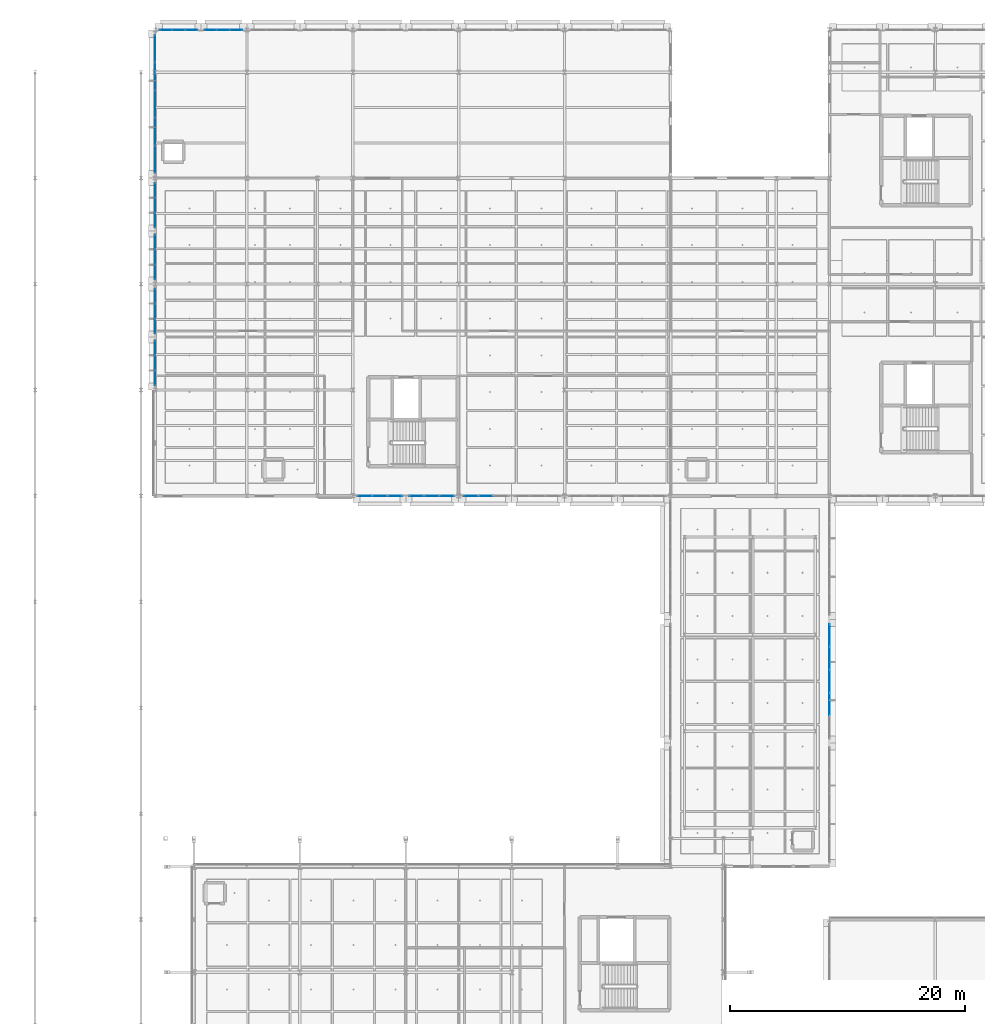
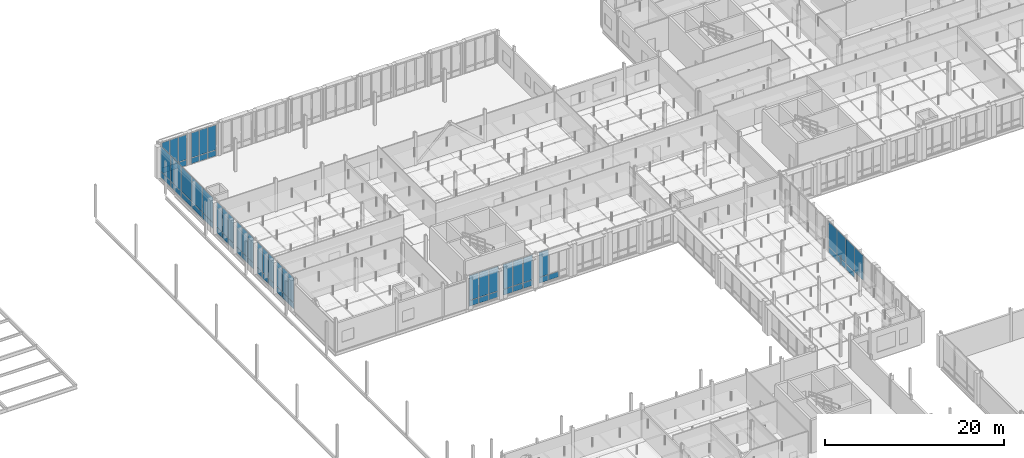
# One storey, part 56 of 130: 68 plates, 11 elements without a shape of their own.
"""IFC4 building model written with IfcOpenShell, lengths in metres."""

from ifc_helpers import new_model, si_unit, direction, frame, origin, origin_2d, place, context, subcontext, project, spatial, rectangle, extrude, material, layer, layer_set, type_object, element, aggregate, save


model = new_model("IFC4")

# Units and contexts
model_context = context("Model", 3, precision=1e-05, world=origin(), true_north=direction((0.0, 1.0)))
body_context = subcontext(model_context, "Body", "Model", "MODEL_VIEW")
ifc_project = project(units=[si_unit("LENGTHUNIT", "METRE"), si_unit("AREAUNIT", "SQUARE_METRE"), si_unit("VOLUMEUNIT", "CUBIC_METRE"), si_unit("PLANEANGLEUNIT", "RADIAN"), si_unit("MASSUNIT", "GRAM", prefix="KILO"), si_unit("THERMODYNAMICTEMPERATUREUNIT", "KELVIN"), si_unit("POWERUNIT", "WATT")], contexts=[model_context])

# Site, building, storey
site_placement = place(None, origin())
site = spatial("IfcSite", under=ifc_project, at=site_placement, CompositionType="ELEMENT")
building_placement = place(site_placement, origin())
building = spatial("IfcBuilding", under=site, at=building_placement, Name="Tallowbark Science Centre", CompositionType="ELEMENT")
storey_placement = place(building_placement, frame((0.0, 0.0, 5.39990234375)))
storey = spatial("IfcBuildingStorey", under=building, at=storey_placement, Name="L01", CompositionType="ELEMENT", Elevation=5.39990234375)

# Curtain wall, plates
ifc_material_1 = material(Name="Unitised Thermally Broken Aluminium and Low-E Double Glazing", Category="aluminium")
curtain_wall_type = type_object("IfcCurtainWallType", Name="CW-SYS-FACADE", PredefinedType="NOTDEFINED", material=ifc_material_1)
curtain_wall_1_placement = place(storey_placement, origin())
curtain_wall_1 = element("IfcCurtainWall", 1, at=curtain_wall_1_placement, inside=storey, type_object=curtain_wall_type, Name="Unitised Curtain Wall LNK-E-1 CW-L01-013", PredefinedType="NOTDEFINED")
ifc_material_2 = material(Name="Double Glazed Argon Low-E Vision Glass", Category="glass")
ifc_layer_1 = layer(ifc_material_2, 0.028076171875)
ifc_layer_set_1 = layer_set([ifc_layer_1], Name="Double Glazed Argon Low-E Vision Glass")
plate_type_1 = type_object("IfcPlateType", Name="CWP-GLZ-28", PredefinedType="CURTAIN_PANEL", material=ifc_layer_set_1)
plate_1_placement = place(storey_placement, frame((112.5, 54.2900390625, 0.87744140625), z_axis=(0.0, 0.0, 1.0), x_axis=(0.0, 1.0, 0.0)))
plate_1 = element("IfcPlate", 2, at=plate_1_placement, type_object=plate_type_1, Name="CW-01 panel 2.2", PredefinedType="CURTAIN_PANEL", context=body_context, shape_type="SweptSolid", body=[
    extrude(rectangle(XDim=1.89501953125, YDim=0.028076171875, at=origin_2d()), origin(), (0.0, 0.0, 1.0), 3.387451171875),
])
plate_2_placement = place(storey_placement, frame((112.5, 56.25, 0.05517578125), z_axis=(0.0, 0.0, 1.0), x_axis=(0.0, 1.0, 0.0)))
plate_2 = element("IfcPlate", 3, at=plate_2_placement, type_object=plate_type_1, Name="CW-01 panel 3.1", PredefinedType="CURTAIN_PANEL", context=body_context, shape_type="SweptSolid", body=[
    extrude(rectangle(XDim=1.89501953125, YDim=0.028076171875, at=origin_2d()), origin(), (0.0, 0.0, 1.0), 0.767578125),
])
plate_3_placement = place(storey_placement, frame((112.5, 56.25, 0.87744140625), z_axis=(0.0, 0.0, 1.0), x_axis=(0.0, 1.0, 0.0)))
plate_3 = element("IfcPlate", 4, at=plate_3_placement, type_object=plate_type_1, Name="CW-01 panel 3.2", PredefinedType="CURTAIN_PANEL", context=body_context, shape_type="SweptSolid", body=[
    extrude(rectangle(XDim=1.89501953125, YDim=0.028076171875, at=origin_2d()), origin(), (0.0, 0.0, 1.0), 3.387451171875),
])
plate_4_placement = place(storey_placement, frame((112.5, 58.2099609375, 0.05517578125), z_axis=(0.0, 0.0, 1.0), x_axis=(0.0, 1.0, 0.0)))
plate_4 = element("IfcPlate", 5, at=plate_4_placement, type_object=plate_type_1, Name="CW-01 panel 4.1", PredefinedType="CURTAIN_PANEL", context=body_context, shape_type="SweptSolid", body=[
    extrude(rectangle(XDim=1.89501953125, YDim=0.028076171875, at=origin_2d()), origin(), (0.0, 0.0, 1.0), 0.767578125),
])
plate_5_placement = place(storey_placement, frame((112.5, 58.2099609375, 0.87744140625), z_axis=(0.0, 0.0, 1.0), x_axis=(0.0, 1.0, 0.0)))
plate_5 = element("IfcPlate", 6, at=plate_5_placement, type_object=plate_type_1, Name="CW-01 panel 4.2", PredefinedType="CURTAIN_PANEL", context=body_context, shape_type="SweptSolid", body=[
    extrude(rectangle(XDim=1.89501953125, YDim=0.028076171875, at=origin_2d()), origin(), (0.0, 0.0, 1.0), 3.387451171875),
])
plate_6_placement = place(storey_placement, frame((112.5, 60.15380859375, 0.05517578125), z_axis=(0.0, 0.0, 1.0), x_axis=(0.0, 1.0, 0.0)))
plate_6 = element("IfcPlate", 7, at=plate_6_placement, type_object=plate_type_1, Name="CW-01 panel 5.1", PredefinedType="CURTAIN_PANEL", context=body_context, shape_type="SweptSolid", body=[
    extrude(rectangle(XDim=1.862548828125, YDim=0.028076171875, at=origin_2d()), origin(), (0.0, 0.0, 1.0), 0.767578125),
])
plate_7_placement = place(storey_placement, frame((112.5, 60.15380859375, 0.87744140625), z_axis=(0.0, 0.0, 1.0), x_axis=(0.0, 1.0, 0.0)))
plate_7 = element("IfcPlate", 8, at=plate_7_placement, type_object=plate_type_1, Name="CW-01 panel 5.2", PredefinedType="CURTAIN_PANEL", context=body_context, shape_type="SweptSolid", body=[
    extrude(rectangle(XDim=1.862548828125, YDim=0.028076171875, at=origin_2d()), origin(), (0.0, 0.0, 1.0), 3.387451171875),
])
aggregate(curtain_wall_1, [plate_1, plate_2, plate_3, plate_4, plate_5, plate_6, plate_7])

curtain_wall_2_placement = place(storey_placement, origin())
curtain_wall_2 = element("IfcCurtainWall", 9, at=curtain_wall_2_placement, inside=storey, type_object=curtain_wall_type, Name="Unitised Curtain Wall LAB-S-72B CW-L01-040", PredefinedType="NOTDEFINED")
plate_8_placement = place(storey_placement, frame((77.416259765625, 72.0, 0.05517578125), z_axis=(0.0, 0.0, 1.0), x_axis=(1.0, 0.0, 0.0)))
plate_8 = element("IfcPlate", 10, at=plate_8_placement, type_object=plate_type_1, Name="CW-01 panel 1.1", PredefinedType="CURTAIN_PANEL", context=body_context, shape_type="SweptSolid", body=[
    extrude(rectangle(XDim=1.202392578125, YDim=0.028076171875, at=origin_2d()), origin(), (0.0, 0.0, 1.0), 0.767578125),
])
plate_9_placement = place(storey_placement, frame((77.416259765625, 72.0, 0.87744140625), z_axis=(0.0, 0.0, 1.0), x_axis=(1.0, 0.0, 0.0)))
plate_9 = element("IfcPlate", 11, at=plate_9_placement, type_object=plate_type_1, Name="CW-01 panel 1.2", PredefinedType="CURTAIN_PANEL", context=body_context, shape_type="SweptSolid", body=[
    extrude(rectangle(XDim=1.202392578125, YDim=0.028076171875, at=origin_2d()), origin(), (0.0, 0.0, 1.0), 3.387451171875),
])
plate_10_placement = place(storey_placement, frame((78.699951171875, 72.0, 0.05517578125), z_axis=(0.0, 0.0, 1.0), x_axis=(1.0, 0.0, 0.0)))
plate_10 = element("IfcPlate", 12, at=plate_10_placement, type_object=plate_type_1, Name="CW-01 panel 2.1", PredefinedType="CURTAIN_PANEL", context=body_context, shape_type="SweptSolid", body=[
    extrude(rectangle(XDim=1.235107421875, YDim=0.028076171875, at=origin_2d()), origin(), (0.0, 0.0, 1.0), 0.767578125),
])
plate_11_placement = place(storey_placement, frame((78.699951171875, 72.0, 0.87744140625), z_axis=(0.0, 0.0, 1.0), x_axis=(1.0, 0.0, 0.0)))
plate_11 = element("IfcPlate", 13, at=plate_11_placement, type_object=plate_type_1, Name="CW-01 panel 2.2", PredefinedType="CURTAIN_PANEL", context=body_context, shape_type="SweptSolid", body=[
    extrude(rectangle(XDim=1.235107421875, YDim=0.028076171875, at=origin_2d()), origin(), (0.0, 0.0, 1.0), 3.387451171875),
])
plate_12_placement = place(storey_placement, frame((79.983642578125, 72.0, 0.05517578125), z_axis=(0.0, 0.0, 1.0), x_axis=(1.0, 0.0, 0.0)))
plate_12 = element("IfcPlate", 14, at=plate_12_placement, type_object=plate_type_1, Name="CW-01 panel 3.1", PredefinedType="CURTAIN_PANEL", context=body_context, shape_type="SweptSolid", body=[
    extrude(rectangle(XDim=1.202392578125, YDim=0.028076171875, at=origin_2d()), origin(), (0.0, 0.0, 1.0), 0.767578125),
])
plate_13_placement = place(storey_placement, frame((79.983642578125, 72.0, 0.87744140625), z_axis=(0.0, 0.0, 1.0), x_axis=(1.0, 0.0, 0.0)))
plate_13 = element("IfcPlate", 15, at=plate_13_placement, type_object=plate_type_1, Name="CW-01 panel 3.2", PredefinedType="CURTAIN_PANEL", context=body_context, shape_type="SweptSolid", body=[
    extrude(rectangle(XDim=1.202392578125, YDim=0.028076171875, at=origin_2d()), origin(), (0.0, 0.0, 1.0), 3.387451171875),
])
aggregate(curtain_wall_2, [plate_8, plate_9, plate_10, plate_11, plate_12, plate_13])

curtain_wall_3_placement = place(storey_placement, origin())
curtain_wall_3 = element("IfcCurtainWall", 16, at=curtain_wall_3_placement, inside=storey, type_object=curtain_wall_type, Name="Unitised Curtain Wall LAB-S-81A CW-L01-041", PredefinedType="NOTDEFINED")
plate_14_placement = place(storey_placement, frame((82.016357421875, 72.0, 0.05517578125), z_axis=(0.0, 0.0, 1.0), x_axis=(1.0, 0.0, 0.0)))
plate_14 = element("IfcPlate", 17, at=plate_14_placement, type_object=plate_type_1, Name="CW-01 panel 1.1", PredefinedType="CURTAIN_PANEL", context=body_context, shape_type="SweptSolid", body=[
    extrude(rectangle(XDim=1.202392578125, YDim=0.028076171875, at=origin_2d()), origin(), (0.0, 0.0, 1.0), 0.767578125),
])
plate_15_placement = place(storey_placement, frame((82.016357421875, 72.0, 0.87744140625), z_axis=(0.0, 0.0, 1.0), x_axis=(1.0, 0.0, 0.0)))
plate_15 = element("IfcPlate", 18, at=plate_15_placement, type_object=plate_type_1, Name="CW-01 panel 1.2", PredefinedType="CURTAIN_PANEL", context=body_context, shape_type="SweptSolid", body=[
    extrude(rectangle(XDim=1.202392578125, YDim=0.028076171875, at=origin_2d()), origin(), (0.0, 0.0, 1.0), 3.387451171875),
])
plate_16_placement = place(storey_placement, frame((83.300048828125, 72.0, 0.05517578125), z_axis=(0.0, 0.0, 1.0), x_axis=(1.0, 0.0, 0.0)))
plate_16 = element("IfcPlate", 19, at=plate_16_placement, type_object=plate_type_1, Name="CW-01 panel 2.1", PredefinedType="CURTAIN_PANEL", context=body_context, shape_type="SweptSolid", body=[
    extrude(rectangle(XDim=1.235107421875, YDim=0.028076171875, at=origin_2d()), origin(), (0.0, 0.0, 1.0), 0.767578125),
])
aggregate(curtain_wall_3, [plate_14, plate_15, plate_16])

curtain_wall_4_placement = place(storey_placement, origin())
curtain_wall_4 = element("IfcCurtainWall", 20, at=curtain_wall_4_placement, inside=storey, type_object=curtain_wall_type, Name="Unitised Curtain Wall LAB-W-81B CW-L01-046", PredefinedType="NOTDEFINED")
plate_17_placement = place(storey_placement, frame((55.199951171875, 84.583740234375, 0.05517578125), z_axis=(0.0, 0.0, 1.0), x_axis=(0.0, -1.0, 0.0)))
plate_17 = element("IfcPlate", 21, at=plate_17_placement, type_object=plate_type_1, Name="CW-01 panel 1.1", PredefinedType="CURTAIN_PANEL", context=body_context, shape_type="SweptSolid", body=[
    extrude(rectangle(XDim=1.202392578125, YDim=0.028076171875, at=origin_2d()), origin(), (0.0, 0.0, 1.0), 0.767578125),
])
plate_18_placement = place(storey_placement, frame((55.199951171875, 84.583740234375, 0.87744140625), z_axis=(0.0, 0.0, 1.0), x_axis=(0.0, -1.0, 0.0)))
plate_18 = element("IfcPlate", 22, at=plate_18_placement, type_object=plate_type_1, Name="CW-01 panel 1.2", PredefinedType="CURTAIN_PANEL", context=body_context, shape_type="SweptSolid", body=[
    extrude(rectangle(XDim=1.202392578125, YDim=0.028076171875, at=origin_2d()), origin(), (0.0, 0.0, 1.0), 3.387451171875),
])
plate_19_placement = place(storey_placement, frame((55.199951171875, 83.300048828125, 0.05517578125), z_axis=(0.0, 0.0, 1.0), x_axis=(0.0, -1.0, 0.0)))
plate_19 = element("IfcPlate", 23, at=plate_19_placement, type_object=plate_type_1, Name="CW-01 panel 2.1", PredefinedType="CURTAIN_PANEL", context=body_context, shape_type="SweptSolid", body=[
    extrude(rectangle(XDim=1.235107421875, YDim=0.028076171875, at=origin_2d()), origin(), (0.0, 0.0, 1.0), 0.767578125),
])
plate_20_placement = place(storey_placement, frame((55.199951171875, 83.300048828125, 0.87744140625), z_axis=(0.0, 0.0, 1.0), x_axis=(0.0, -1.0, 0.0)))
plate_20 = element("IfcPlate", 24, at=plate_20_placement, type_object=plate_type_1, Name="CW-01 panel 2.2", PredefinedType="CURTAIN_PANEL", context=body_context, shape_type="SweptSolid", body=[
    extrude(rectangle(XDim=1.235107421875, YDim=0.028076171875, at=origin_2d()), origin(), (0.0, 0.0, 1.0), 3.387451171875),
])
plate_21_placement = place(storey_placement, frame((55.199951171875, 82.016357421875, 0.05517578125), z_axis=(0.0, 0.0, 1.0), x_axis=(0.0, -1.0, 0.0)))
plate_21 = element("IfcPlate", 25, at=plate_21_placement, type_object=plate_type_1, Name="CW-01 panel 3.1", PredefinedType="CURTAIN_PANEL", context=body_context, shape_type="SweptSolid", body=[
    extrude(rectangle(XDim=1.202392578125, YDim=0.028076171875, at=origin_2d()), origin(), (0.0, 0.0, 1.0), 0.767578125),
])
plate_22_placement = place(storey_placement, frame((55.199951171875, 82.016357421875, 0.87744140625), z_axis=(0.0, 0.0, 1.0), x_axis=(0.0, -1.0, 0.0)))
plate_22 = element("IfcPlate", 26, at=plate_22_placement, type_object=plate_type_1, Name="CW-01 panel 3.2", PredefinedType="CURTAIN_PANEL", context=body_context, shape_type="SweptSolid", body=[
    extrude(rectangle(XDim=1.202392578125, YDim=0.028076171875, at=origin_2d()), origin(), (0.0, 0.0, 1.0), 3.387451171875),
])
aggregate(curtain_wall_4, [plate_17, plate_18, plate_19, plate_20, plate_21, plate_22])

curtain_wall_5_placement = place(storey_placement, origin())
curtain_wall_5 = element("IfcCurtainWall", 27, at=curtain_wall_5_placement, inside=storey, type_object=curtain_wall_type, Name="Unitised Curtain Wall LAB-W-90A CW-L01-047", PredefinedType="NOTDEFINED")
plate_23_placement = place(storey_placement, frame((55.199951171875, 97.983642578125, 0.05517578125), z_axis=(0.0, 0.0, 1.0), x_axis=(0.0, -1.0, 0.0)))
plate_23 = element("IfcPlate", 28, at=plate_23_placement, type_object=plate_type_1, Name="CW-01 panel 1.1", PredefinedType="CURTAIN_PANEL", context=body_context, shape_type="SweptSolid", body=[
    extrude(rectangle(XDim=1.202392578125, YDim=0.028076171875, at=origin_2d()), origin(), (0.0, 0.0, 1.0), 0.767578125),
])
plate_24_placement = place(storey_placement, frame((55.199951171875, 97.983642578125, 0.87744140625), z_axis=(0.0, 0.0, 1.0), x_axis=(0.0, -1.0, 0.0)))
plate_24 = element("IfcPlate", 29, at=plate_24_placement, type_object=plate_type_1, Name="CW-01 panel 1.2", PredefinedType="CURTAIN_PANEL", context=body_context, shape_type="SweptSolid", body=[
    extrude(rectangle(XDim=1.202392578125, YDim=0.028076171875, at=origin_2d()), origin(), (0.0, 0.0, 1.0), 3.387451171875),
])
plate_25_placement = place(storey_placement, frame((55.199951171875, 96.699951171875, 0.05517578125), z_axis=(0.0, 0.0, 1.0), x_axis=(0.0, -1.0, 0.0)))
plate_25 = element("IfcPlate", 30, at=plate_25_placement, type_object=plate_type_1, Name="CW-01 panel 2.1", PredefinedType="CURTAIN_PANEL", context=body_context, shape_type="SweptSolid", body=[
    extrude(rectangle(XDim=1.235107421875, YDim=0.028076171875, at=origin_2d()), origin(), (0.0, 0.0, 1.0), 0.767578125),
])
plate_26_placement = place(storey_placement, frame((55.199951171875, 96.699951171875, 0.87744140625), z_axis=(0.0, 0.0, 1.0), x_axis=(0.0, -1.0, 0.0)))
plate_26 = element("IfcPlate", 31, at=plate_26_placement, type_object=plate_type_1, Name="CW-01 panel 2.2", PredefinedType="CURTAIN_PANEL", context=body_context, shape_type="SweptSolid", body=[
    extrude(rectangle(XDim=1.235107421875, YDim=0.028076171875, at=origin_2d()), origin(), (0.0, 0.0, 1.0), 3.387451171875),
])
plate_27_placement = place(storey_placement, frame((55.199951171875, 95.416259765625, 0.05517578125), z_axis=(0.0, 0.0, 1.0), x_axis=(0.0, -1.0, 0.0)))
plate_27 = element("IfcPlate", 32, at=plate_27_placement, type_object=plate_type_1, Name="CW-01 panel 3.1", PredefinedType="CURTAIN_PANEL", context=body_context, shape_type="SweptSolid", body=[
    extrude(rectangle(XDim=1.202392578125, YDim=0.028076171875, at=origin_2d()), origin(), (0.0, 0.0, 1.0), 0.767578125),
])
plate_28_placement = place(storey_placement, frame((55.199951171875, 95.416259765625, 0.87744140625), z_axis=(0.0, 0.0, 1.0), x_axis=(0.0, -1.0, 0.0)))
plate_28 = element("IfcPlate", 33, at=plate_28_placement, type_object=plate_type_1, Name="CW-01 panel 3.2", PredefinedType="CURTAIN_PANEL", context=body_context, shape_type="SweptSolid", body=[
    extrude(rectangle(XDim=1.202392578125, YDim=0.028076171875, at=origin_2d()), origin(), (0.0, 0.0, 1.0), 3.387451171875),
])
aggregate(curtain_wall_5, [plate_23, plate_24, plate_25, plate_26, plate_27, plate_28])

curtain_wall_6_placement = place(storey_placement, origin())
curtain_wall_6 = element("IfcCurtainWall", 34, at=curtain_wall_6_placement, inside=storey, type_object=curtain_wall_type, Name="Unitised Curtain Wall CAF-N-55A CW-L01-049", PredefinedType="NOTDEFINED")
plate_29_placement = place(storey_placement, frame((62.083740234375, 111.60009765625, 0.05517578125), z_axis=(0.0, 0.0, 1.0), x_axis=(-1.0, 0.0, 0.0)))
plate_29 = element("IfcPlate", 35, at=plate_29_placement, type_object=plate_type_1, Name="CW-01 panel 1.1", PredefinedType="CURTAIN_PANEL", context=body_context, shape_type="SweptSolid", body=[
    extrude(rectangle(XDim=1.00244140625, YDim=0.028076171875, at=origin_2d()), origin(), (0.0, 0.0, 1.0), 0.767578125),
])
plate_30_placement = place(storey_placement, frame((62.083740234375, 111.60009765625, 0.87744140625), z_axis=(0.0, 0.0, 1.0), x_axis=(-1.0, 0.0, 0.0)))
plate_30 = element("IfcPlate", 36, at=plate_30_placement, type_object=plate_type_1, Name="CW-01 panel 1.2", PredefinedType="CURTAIN_PANEL", context=body_context, shape_type="SweptSolid", body=[
    extrude(rectangle(XDim=1.00244140625, YDim=0.028076171875, at=origin_2d()), origin(), (0.0, 0.0, 1.0), 3.387451171875),
])
plate_31_placement = place(storey_placement, frame((61.0, 111.60009765625, 0.05517578125), z_axis=(0.0, 0.0, 1.0), x_axis=(-1.0, 0.0, 0.0)))
plate_31 = element("IfcPlate", 37, at=plate_31_placement, type_object=plate_type_1, Name="CW-01 panel 2.1", PredefinedType="CURTAIN_PANEL", context=body_context, shape_type="SweptSolid", body=[
    extrude(rectangle(XDim=1.034912109375, YDim=0.028076171875, at=origin_2d()), origin(), (0.0, 0.0, 1.0), 0.767578125),
])
plate_32_placement = place(storey_placement, frame((61.0, 111.60009765625, 0.87744140625), z_axis=(0.0, 0.0, 1.0), x_axis=(-1.0, 0.0, 0.0)))
plate_32 = element("IfcPlate", 38, at=plate_32_placement, type_object=plate_type_1, Name="CW-01 panel 2.2", PredefinedType="CURTAIN_PANEL", context=body_context, shape_type="SweptSolid", body=[
    extrude(rectangle(XDim=1.034912109375, YDim=0.028076171875, at=origin_2d()), origin(), (0.0, 0.0, 1.0), 3.387451171875),
])
plate_33_placement = place(storey_placement, frame((59.916259765625, 111.60009765625, 0.05517578125), z_axis=(0.0, 0.0, 1.0), x_axis=(-1.0, 0.0, 0.0)))
plate_33 = element("IfcPlate", 39, at=plate_33_placement, type_object=plate_type_1, Name="CW-01 panel 3.1", PredefinedType="CURTAIN_PANEL", context=body_context, shape_type="SweptSolid", body=[
    extrude(rectangle(XDim=1.00244140625, YDim=0.028076171875, at=origin_2d()), origin(), (0.0, 0.0, 1.0), 0.767578125),
])
plate_34_placement = place(storey_placement, frame((59.916259765625, 111.60009765625, 0.87744140625), z_axis=(0.0, 0.0, 1.0), x_axis=(-1.0, 0.0, 0.0)))
plate_34 = element("IfcPlate", 40, at=plate_34_placement, type_object=plate_type_1, Name="CW-01 panel 3.2", PredefinedType="CURTAIN_PANEL", context=body_context, shape_type="SweptSolid", body=[
    extrude(rectangle(XDim=1.00244140625, YDim=0.028076171875, at=origin_2d()), origin(), (0.0, 0.0, 1.0), 3.387451171875),
])
aggregate(curtain_wall_6, [plate_29, plate_30, plate_31, plate_32, plate_33, plate_34])

curtain_wall_7_placement = place(storey_placement, origin())
curtain_wall_7 = element("IfcCurtainWall", 41, at=curtain_wall_7_placement, inside=storey, type_object=curtain_wall_type, Name="Unitised Curtain Wall CAF-N-55B CW-L01-050", PredefinedType="NOTDEFINED")
plate_35_placement = place(storey_placement, frame((58.28369140625, 111.60009765625, 0.05517578125), z_axis=(0.0, 0.0, 1.0), x_axis=(-1.0, 0.0, 0.0)))
plate_35 = element("IfcPlate", 42, at=plate_35_placement, type_object=plate_type_1, Name="CW-01 panel 1.1", PredefinedType="CURTAIN_PANEL", context=body_context, shape_type="SweptSolid", body=[
    extrude(rectangle(XDim=1.00244140625, YDim=0.028076171875, at=origin_2d()), origin(), (0.0, 0.0, 1.0), 0.767578125),
])
plate_36_placement = place(storey_placement, frame((58.28369140625, 111.60009765625, 0.87744140625), z_axis=(0.0, 0.0, 1.0), x_axis=(-1.0, 0.0, 0.0)))
plate_36 = element("IfcPlate", 43, at=plate_36_placement, type_object=plate_type_1, Name="CW-01 panel 1.2", PredefinedType="CURTAIN_PANEL", context=body_context, shape_type="SweptSolid", body=[
    extrude(rectangle(XDim=1.00244140625, YDim=0.028076171875, at=origin_2d()), origin(), (0.0, 0.0, 1.0), 3.387451171875),
])
plate_37_placement = place(storey_placement, frame((57.199951171875, 111.60009765625, 0.05517578125), z_axis=(0.0, 0.0, 1.0), x_axis=(-1.0, 0.0, 0.0)))
plate_37 = element("IfcPlate", 44, at=plate_37_placement, type_object=plate_type_1, Name="CW-01 panel 2.1", PredefinedType="CURTAIN_PANEL", context=body_context, shape_type="SweptSolid", body=[
    extrude(rectangle(XDim=1.034912109375, YDim=0.028076171875, at=origin_2d()), origin(), (0.0, 0.0, 1.0), 0.767578125),
])
plate_38_placement = place(storey_placement, frame((57.199951171875, 111.60009765625, 0.87744140625), z_axis=(0.0, 0.0, 1.0), x_axis=(-1.0, 0.0, 0.0)))
plate_38 = element("IfcPlate", 45, at=plate_38_placement, type_object=plate_type_1, Name="CW-01 panel 2.2", PredefinedType="CURTAIN_PANEL", context=body_context, shape_type="SweptSolid", body=[
    extrude(rectangle(XDim=1.034912109375, YDim=0.028076171875, at=origin_2d()), origin(), (0.0, 0.0, 1.0), 3.387451171875),
])
plate_39_placement = place(storey_placement, frame((56.1162109375, 111.60009765625, 0.05517578125), z_axis=(0.0, 0.0, 1.0), x_axis=(-1.0, 0.0, 0.0)))
plate_39 = element("IfcPlate", 46, at=plate_39_placement, type_object=plate_type_1, Name="CW-01 panel 3.1", PredefinedType="CURTAIN_PANEL", context=body_context, shape_type="SweptSolid", body=[
    extrude(rectangle(XDim=1.00244140625, YDim=0.028076171875, at=origin_2d()), origin(), (0.0, 0.0, 1.0), 0.767578125),
])
plate_40_placement = place(storey_placement, frame((56.1162109375, 111.60009765625, 0.87744140625), z_axis=(0.0, 0.0, 1.0), x_axis=(-1.0, 0.0, 0.0)))
plate_40 = element("IfcPlate", 47, at=plate_40_placement, type_object=plate_type_1, Name="CW-01 panel 3.2", PredefinedType="CURTAIN_PANEL", context=body_context, shape_type="SweptSolid", body=[
    extrude(rectangle(XDim=1.00244140625, YDim=0.028076171875, at=origin_2d()), origin(), (0.0, 0.0, 1.0), 3.387451171875),
])
aggregate(curtain_wall_7, [plate_35, plate_36, plate_37, plate_38, plate_39, plate_40])

curtain_wall_8_placement = place(storey_placement, origin())
curtain_wall_8 = element("IfcCurtainWall", 48, at=curtain_wall_8_placement, inside=storey, type_object=curtain_wall_type, Name="Unitised Curtain Wall CAF-W-L01 CW-L01-059", PredefinedType="NOTDEFINED")
plate_41_placement = place(storey_placement, frame((55.199951171875, 110.003662109375, 0.05517578125), z_axis=(0.0, 0.0, 1.0), x_axis=(0.0, -1.0, 0.0)))
plate_41 = element("IfcPlate", 49, at=plate_41_placement, type_object=plate_type_1, Name="CW-01 panel 1.1", PredefinedType="CURTAIN_PANEL", context=body_context, shape_type="SweptSolid", body=[
    extrude(rectangle(XDim=2.262451171875, YDim=0.028076171875, at=origin_2d()), origin(), (0.0, 0.0, 1.0), 0.767578125),
])
plate_42_placement = place(storey_placement, frame((55.199951171875, 110.003662109375, 0.87744140625), z_axis=(0.0, 0.0, 1.0), x_axis=(0.0, -1.0, 0.0)))
plate_42 = element("IfcPlate", 50, at=plate_42_placement, type_object=plate_type_1, Name="CW-01 panel 1.2", PredefinedType="CURTAIN_PANEL", context=body_context, shape_type="SweptSolid", body=[
    extrude(rectangle(XDim=2.262451171875, YDim=0.028076171875, at=origin_2d()), origin(), (0.0, 0.0, 1.0), 3.387451171875),
])
plate_43_placement = place(storey_placement, frame((55.199951171875, 107.659912109375, 0.05517578125), z_axis=(0.0, 0.0, 1.0), x_axis=(0.0, -1.0, 0.0)))
plate_43 = element("IfcPlate", 51, at=plate_43_placement, type_object=plate_type_1, Name="CW-01 panel 2.1", PredefinedType="CURTAIN_PANEL", context=body_context, shape_type="SweptSolid", body=[
    extrude(rectangle(XDim=2.294921875, YDim=0.028076171875, at=origin_2d()), origin(), (0.0, 0.0, 1.0), 0.767578125),
])
plate_44_placement = place(storey_placement, frame((55.199951171875, 107.659912109375, 0.87744140625), z_axis=(0.0, 0.0, 1.0), x_axis=(0.0, -1.0, 0.0)))
plate_44 = element("IfcPlate", 52, at=plate_44_placement, type_object=plate_type_1, Name="CW-01 panel 2.2", PredefinedType="CURTAIN_PANEL", context=body_context, shape_type="SweptSolid", body=[
    extrude(rectangle(XDim=2.294921875, YDim=0.028076171875, at=origin_2d()), origin(), (0.0, 0.0, 1.0), 3.387451171875),
])
plate_45_placement = place(storey_placement, frame((55.199951171875, 105.300048828125, 0.05517578125), z_axis=(0.0, 0.0, 1.0), x_axis=(0.0, -1.0, 0.0)))
plate_45 = element("IfcPlate", 53, at=plate_45_placement, type_object=plate_type_1, Name="CW-01 panel 3.1", PredefinedType="CURTAIN_PANEL", context=body_context, shape_type="SweptSolid", body=[
    extrude(rectangle(XDim=2.294921875, YDim=0.028076171875, at=origin_2d()), origin(), (0.0, 0.0, 1.0), 0.767578125),
])
plate_46_placement = place(storey_placement, frame((55.199951171875, 105.300048828125, 0.87744140625), z_axis=(0.0, 0.0, 1.0), x_axis=(0.0, -1.0, 0.0)))
plate_46 = element("IfcPlate", 54, at=plate_46_placement, type_object=plate_type_1, Name="CW-01 panel 3.2", PredefinedType="CURTAIN_PANEL", context=body_context, shape_type="SweptSolid", body=[
    extrude(rectangle(XDim=2.294921875, YDim=0.028076171875, at=origin_2d()), origin(), (0.0, 0.0, 1.0), 3.387451171875),
])
plate_47_placement = place(storey_placement, frame((55.199951171875, 102.93994140625, 0.05517578125), z_axis=(0.0, 0.0, 1.0), x_axis=(0.0, -1.0, 0.0)))
plate_47 = element("IfcPlate", 55, at=plate_47_placement, type_object=plate_type_1, Name="CW-01 panel 4.1", PredefinedType="CURTAIN_PANEL", context=body_context, shape_type="SweptSolid", body=[
    extrude(rectangle(XDim=2.294921875, YDim=0.028076171875, at=origin_2d()), origin(), (0.0, 0.0, 1.0), 0.767578125),
])
plate_48_placement = place(storey_placement, frame((55.199951171875, 102.93994140625, 0.87744140625), z_axis=(0.0, 0.0, 1.0), x_axis=(0.0, -1.0, 0.0)))
plate_48 = element("IfcPlate", 56, at=plate_48_placement, type_object=plate_type_1, Name="CW-01 panel 4.2", PredefinedType="CURTAIN_PANEL", context=body_context, shape_type="SweptSolid", body=[
    extrude(rectangle(XDim=2.294921875, YDim=0.028076171875, at=origin_2d()), origin(), (0.0, 0.0, 1.0), 3.387451171875),
])
plate_49_placement = place(storey_placement, frame((55.199951171875, 100.59619140625, 0.05517578125), z_axis=(0.0, 0.0, 1.0), x_axis=(0.0, -1.0, 0.0)))
plate_49 = element("IfcPlate", 57, at=plate_49_placement, type_object=plate_type_1, Name="CW-01 panel 5.1", PredefinedType="CURTAIN_PANEL", context=body_context, shape_type="SweptSolid", body=[
    extrude(rectangle(XDim=2.262451171875, YDim=0.028076171875, at=origin_2d()), origin(), (0.0, 0.0, 1.0), 0.767578125),
])
plate_50_placement = place(storey_placement, frame((55.199951171875, 100.59619140625, 0.87744140625), z_axis=(0.0, 0.0, 1.0), x_axis=(0.0, -1.0, 0.0)))
plate_50 = element("IfcPlate", 58, at=plate_50_placement, type_object=plate_type_1, Name="CW-01 panel 5.2", PredefinedType="CURTAIN_PANEL", context=body_context, shape_type="SweptSolid", body=[
    extrude(rectangle(XDim=2.262451171875, YDim=0.028076171875, at=origin_2d()), origin(), (0.0, 0.0, 1.0), 3.387451171875),
])
aggregate(curtain_wall_8, [plate_41, plate_42, plate_43, plate_44, plate_45, plate_46, plate_47, plate_48, plate_49, plate_50])

curtain_wall_9_placement = place(storey_placement, origin())
curtain_wall_9 = element("IfcCurtainWall", 59, at=curtain_wall_9_placement, inside=storey, type_object=curtain_wall_type, Name="Unitised Curtain Wall LAB-S-72A CW-L01-039", PredefinedType="NOTDEFINED")
ifc_material_3 = material(Name="Ceramic-Fritted Insulated Glass Spandrel Panel", Category="glass")
ifc_layer_2 = layer(ifc_material_3, 0.031982421875)
ifc_layer_set_2 = layer_set([ifc_layer_2], Name="Ceramic-Fritted Insulated Glass Spandrel Panel")
plate_type_2 = type_object("IfcPlateType", Name="CWP-SPN-32", PredefinedType="CURTAIN_PANEL", material=ifc_layer_set_2)
plate_51_placement = place(storey_placement, frame((73.016357421875, 72.0, 0.05517578125), z_axis=(0.0, 0.0, 1.0), x_axis=(1.0, 0.0, 0.0)))
plate_51 = element("IfcPlate", 60, at=plate_51_placement, type_object=plate_type_2, Name="CW-01 panel 1.1", PredefinedType="CURTAIN_PANEL", context=body_context, shape_type="SweptSolid", body=[
    extrude(rectangle(XDim=1.202392578125, YDim=0.031982421875, at=origin_2d()), origin(), (0.0, 0.0, 1.0), 0.767578125),
])
plate_52_placement = place(storey_placement, frame((73.016357421875, 72.0, 0.87744140625), z_axis=(0.0, 0.0, 1.0), x_axis=(1.0, 0.0, 0.0)))
plate_52 = element("IfcPlate", 61, at=plate_52_placement, type_object=plate_type_2, Name="CW-01 panel 1.2", PredefinedType="CURTAIN_PANEL", context=body_context, shape_type="SweptSolid", body=[
    extrude(rectangle(XDim=1.202392578125, YDim=0.031982421875, at=origin_2d()), origin(), (0.0, 0.0, 1.0), 3.387451171875),
])
plate_53_placement = place(storey_placement, frame((74.300048828125, 72.0, 0.05517578125), z_axis=(0.0, 0.0, 1.0), x_axis=(1.0, 0.0, 0.0)))
plate_53 = element("IfcPlate", 62, at=plate_53_placement, type_object=plate_type_2, Name="CW-01 panel 2.1", PredefinedType="CURTAIN_PANEL", context=body_context, shape_type="SweptSolid", body=[
    extrude(rectangle(XDim=1.235107421875, YDim=0.031982421875, at=origin_2d()), origin(), (0.0, 0.0, 1.0), 0.767578125),
])
plate_54_placement = place(storey_placement, frame((74.300048828125, 72.0, 0.87744140625), z_axis=(0.0, 0.0, 1.0), x_axis=(1.0, 0.0, 0.0)))
plate_54 = element("IfcPlate", 63, at=plate_54_placement, type_object=plate_type_2, Name="CW-01 panel 2.2", PredefinedType="CURTAIN_PANEL", context=body_context, shape_type="SweptSolid", body=[
    extrude(rectangle(XDim=1.235107421875, YDim=0.031982421875, at=origin_2d()), origin(), (0.0, 0.0, 1.0), 3.387451171875),
])
plate_55_placement = place(storey_placement, frame((75.583740234375, 72.0, 0.05517578125), z_axis=(0.0, 0.0, 1.0), x_axis=(1.0, 0.0, 0.0)))
plate_55 = element("IfcPlate", 64, at=plate_55_placement, type_object=plate_type_2, Name="CW-01 panel 3.1", PredefinedType="CURTAIN_PANEL", context=body_context, shape_type="SweptSolid", body=[
    extrude(rectangle(XDim=1.202392578125, YDim=0.031982421875, at=origin_2d()), origin(), (0.0, 0.0, 1.0), 0.767578125),
])
plate_56_placement = place(storey_placement, frame((75.583740234375, 72.0, 0.87744140625), z_axis=(0.0, 0.0, 1.0), x_axis=(1.0, 0.0, 0.0)))
plate_56 = element("IfcPlate", 65, at=plate_56_placement, type_object=plate_type_2, Name="CW-01 panel 3.2", PredefinedType="CURTAIN_PANEL", context=body_context, shape_type="SweptSolid", body=[
    extrude(rectangle(XDim=1.202392578125, YDim=0.031982421875, at=origin_2d()), origin(), (0.0, 0.0, 1.0), 3.387451171875),
])
aggregate(curtain_wall_9, [plate_51, plate_52, plate_53, plate_54, plate_55, plate_56])

curtain_wall_10_placement = place(storey_placement, origin())
curtain_wall_10 = element("IfcCurtainWall", 66, at=curtain_wall_10_placement, inside=storey, type_object=curtain_wall_type, Name="Unitised Curtain Wall LAB-W-81A CW-L01-045", PredefinedType="NOTDEFINED")
plate_57_placement = place(storey_placement, frame((55.199951171875, 88.983642578125, 0.05517578125), z_axis=(0.0, 0.0, 1.0), x_axis=(0.0, -1.0, 0.0)))
plate_57 = element("IfcPlate", 67, at=plate_57_placement, type_object=plate_type_2, Name="CW-01 panel 1.1", PredefinedType="CURTAIN_PANEL", context=body_context, shape_type="SweptSolid", body=[
    extrude(rectangle(XDim=1.202392578125, YDim=0.031982421875, at=origin_2d()), origin(), (0.0, 0.0, 1.0), 0.767578125),
])
plate_58_placement = place(storey_placement, frame((55.199951171875, 88.983642578125, 0.87744140625), z_axis=(0.0, 0.0, 1.0), x_axis=(0.0, -1.0, 0.0)))
plate_58 = element("IfcPlate", 68, at=plate_58_placement, type_object=plate_type_2, Name="CW-01 panel 1.2", PredefinedType="CURTAIN_PANEL", context=body_context, shape_type="SweptSolid", body=[
    extrude(rectangle(XDim=1.202392578125, YDim=0.031982421875, at=origin_2d()), origin(), (0.0, 0.0, 1.0), 3.387451171875),
])
plate_59_placement = place(storey_placement, frame((55.199951171875, 87.699951171875, 0.05517578125), z_axis=(0.0, 0.0, 1.0), x_axis=(0.0, -1.0, 0.0)))
plate_59 = element("IfcPlate", 69, at=plate_59_placement, type_object=plate_type_2, Name="CW-01 panel 2.1", PredefinedType="CURTAIN_PANEL", context=body_context, shape_type="SweptSolid", body=[
    extrude(rectangle(XDim=1.235107421875, YDim=0.031982421875, at=origin_2d()), origin(), (0.0, 0.0, 1.0), 0.767578125),
])
plate_60_placement = place(storey_placement, frame((55.199951171875, 87.699951171875, 0.87744140625), z_axis=(0.0, 0.0, 1.0), x_axis=(0.0, -1.0, 0.0)))
plate_60 = element("IfcPlate", 70, at=plate_60_placement, type_object=plate_type_2, Name="CW-01 panel 2.2", PredefinedType="CURTAIN_PANEL", context=body_context, shape_type="SweptSolid", body=[
    extrude(rectangle(XDim=1.235107421875, YDim=0.031982421875, at=origin_2d()), origin(), (0.0, 0.0, 1.0), 3.387451171875),
])
plate_61_placement = place(storey_placement, frame((55.199951171875, 86.416259765625, 0.05517578125), z_axis=(0.0, 0.0, 1.0), x_axis=(0.0, -1.0, 0.0)))
plate_61 = element("IfcPlate", 71, at=plate_61_placement, type_object=plate_type_2, Name="CW-01 panel 3.1", PredefinedType="CURTAIN_PANEL", context=body_context, shape_type="SweptSolid", body=[
    extrude(rectangle(XDim=1.202392578125, YDim=0.031982421875, at=origin_2d()), origin(), (0.0, 0.0, 1.0), 0.767578125),
])
plate_62_placement = place(storey_placement, frame((55.199951171875, 86.416259765625, 0.87744140625), z_axis=(0.0, 0.0, 1.0), x_axis=(0.0, -1.0, 0.0)))
plate_62 = element("IfcPlate", 72, at=plate_62_placement, type_object=plate_type_2, Name="CW-01 panel 3.2", PredefinedType="CURTAIN_PANEL", context=body_context, shape_type="SweptSolid", body=[
    extrude(rectangle(XDim=1.202392578125, YDim=0.031982421875, at=origin_2d()), origin(), (0.0, 0.0, 1.0), 3.387451171875),
])
aggregate(curtain_wall_10, [plate_57, plate_58, plate_59, plate_60, plate_61, plate_62])

curtain_wall_11_placement = place(storey_placement, origin())
curtain_wall_11 = element("IfcCurtainWall", 73, at=curtain_wall_11_placement, inside=storey, type_object=curtain_wall_type, Name="Unitised Curtain Wall LAB-W-90B CW-L01-048", PredefinedType="NOTDEFINED")
plate_63_placement = place(storey_placement, frame((55.199951171875, 93.583740234375, 0.05517578125), z_axis=(0.0, 0.0, 1.0), x_axis=(0.0, -1.0, 0.0)))
plate_63 = element("IfcPlate", 74, at=plate_63_placement, type_object=plate_type_2, Name="CW-01 panel 1.1", PredefinedType="CURTAIN_PANEL", context=body_context, shape_type="SweptSolid", body=[
    extrude(rectangle(XDim=1.202392578125, YDim=0.031982421875, at=origin_2d()), origin(), (0.0, 0.0, 1.0), 0.767578125),
])
plate_64_placement = place(storey_placement, frame((55.199951171875, 93.583740234375, 0.87744140625), z_axis=(0.0, 0.0, 1.0), x_axis=(0.0, -1.0, 0.0)))
plate_64 = element("IfcPlate", 75, at=plate_64_placement, type_object=plate_type_2, Name="CW-01 panel 1.2", PredefinedType="CURTAIN_PANEL", context=body_context, shape_type="SweptSolid", body=[
    extrude(rectangle(XDim=1.202392578125, YDim=0.031982421875, at=origin_2d()), origin(), (0.0, 0.0, 1.0), 3.387451171875),
])
plate_65_placement = place(storey_placement, frame((55.199951171875, 92.300048828125, 0.05517578125), z_axis=(0.0, 0.0, 1.0), x_axis=(0.0, -1.0, 0.0)))
plate_65 = element("IfcPlate", 76, at=plate_65_placement, type_object=plate_type_2, Name="CW-01 panel 2.1", PredefinedType="CURTAIN_PANEL", context=body_context, shape_type="SweptSolid", body=[
    extrude(rectangle(XDim=1.235107421875, YDim=0.031982421875, at=origin_2d()), origin(), (0.0, 0.0, 1.0), 0.767578125),
])
plate_66_placement = place(storey_placement, frame((55.199951171875, 92.300048828125, 0.87744140625), z_axis=(0.0, 0.0, 1.0), x_axis=(0.0, -1.0, 0.0)))
plate_66 = element("IfcPlate", 77, at=plate_66_placement, type_object=plate_type_2, Name="CW-01 panel 2.2", PredefinedType="CURTAIN_PANEL", context=body_context, shape_type="SweptSolid", body=[
    extrude(rectangle(XDim=1.235107421875, YDim=0.031982421875, at=origin_2d()), origin(), (0.0, 0.0, 1.0), 3.387451171875),
])
plate_67_placement = place(storey_placement, frame((55.199951171875, 91.016357421875, 0.05517578125), z_axis=(0.0, 0.0, 1.0), x_axis=(0.0, -1.0, 0.0)))
plate_67 = element("IfcPlate", 78, at=plate_67_placement, type_object=plate_type_2, Name="CW-01 panel 3.1", PredefinedType="CURTAIN_PANEL", context=body_context, shape_type="SweptSolid", body=[
    extrude(rectangle(XDim=1.202392578125, YDim=0.031982421875, at=origin_2d()), origin(), (0.0, 0.0, 1.0), 0.767578125),
])
plate_68_placement = place(storey_placement, frame((55.199951171875, 91.016357421875, 0.87744140625), z_axis=(0.0, 0.0, 1.0), x_axis=(0.0, -1.0, 0.0)))
plate_68 = element("IfcPlate", 79, at=plate_68_placement, type_object=plate_type_2, Name="CW-01 panel 3.2", PredefinedType="CURTAIN_PANEL", context=body_context, shape_type="SweptSolid", body=[
    extrude(rectangle(XDim=1.202392578125, YDim=0.031982421875, at=origin_2d()), origin(), (0.0, 0.0, 1.0), 3.387451171875),
])
aggregate(curtain_wall_11, [plate_63, plate_64, plate_65, plate_66, plate_67, plate_68])

save(model, "model.ifc")
